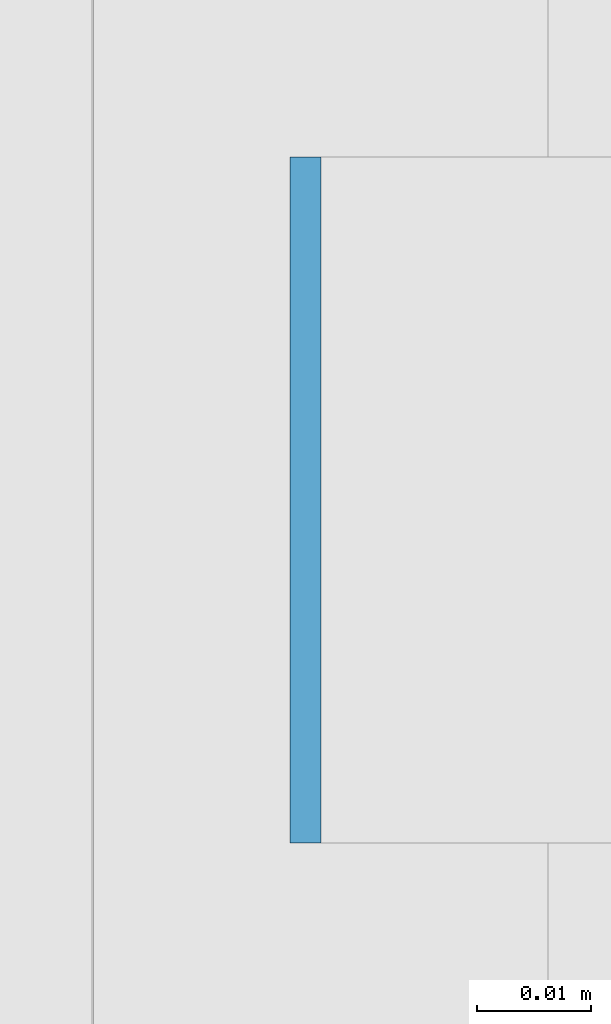
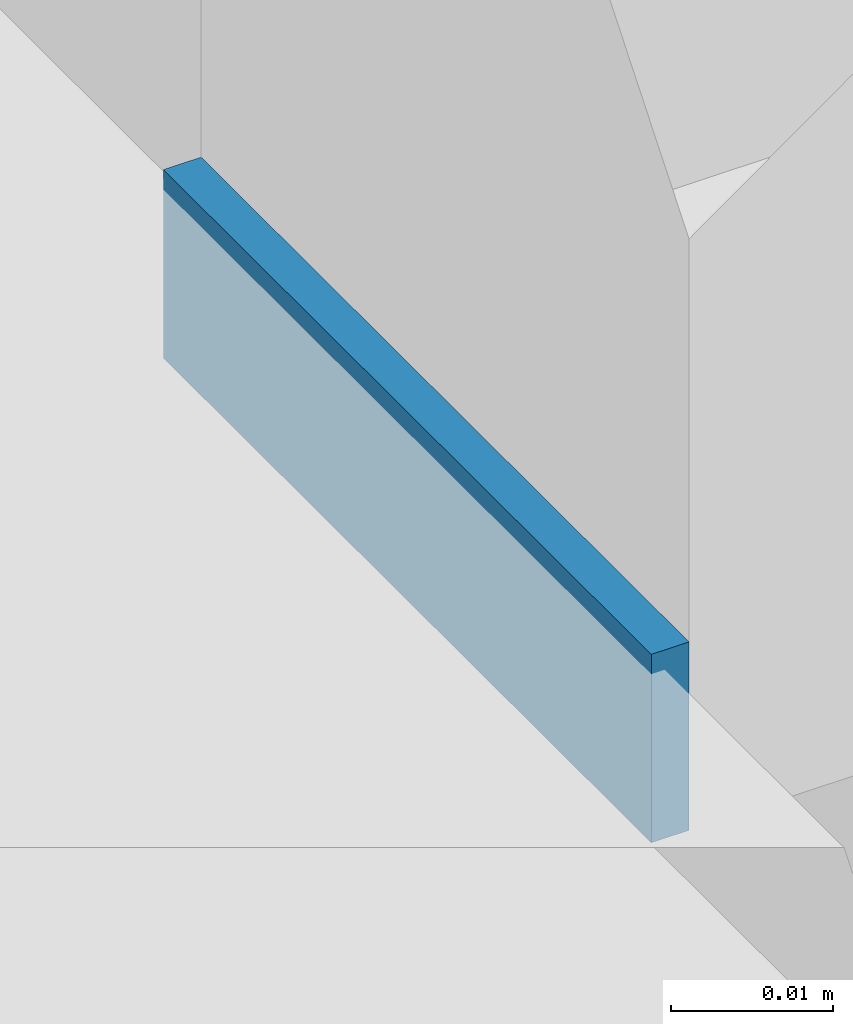
# One storey, part 536 of 646: 1 discrete accessory.
"""IFC4 building model written with IfcOpenShell, lengths in metres."""

from ifc_helpers import new_model, si_unit, direction, frame, origin, origin_2d, place, context, subcontext, project, spatial, rectangle, extrude, material, type_object, element, save


model = new_model("IFC4")

# Units and contexts
model_context = context("Model", 3, precision=1e-05, world=origin(), true_north=direction((0.0, 1.0)))
body_context = subcontext(model_context, "Body", "Model", "MODEL_VIEW")
ifc_project = project(units=[si_unit("LENGTHUNIT", "METRE"), si_unit("AREAUNIT", "SQUARE_METRE"), si_unit("VOLUMEUNIT", "CUBIC_METRE"), si_unit("PLANEANGLEUNIT", "RADIAN"), si_unit("MASSUNIT", "GRAM", prefix="KILO")], contexts=[model_context])

# Site, building, storey
site_placement = place(None, origin())
site = spatial("IfcSite", under=ifc_project, at=site_placement, CompositionType="ELEMENT")
building_placement = place(site_placement, origin())
building = spatial("IfcBuilding", under=site, at=building_placement, Name="Silverbay Arena", CompositionType="ELEMENT")
storey_placement = place(building_placement, frame((0.0, 0.0, 33.5)))
storey = spatial("IfcBuildingStorey", under=building, at=storey_placement, Name="L05", CompositionType="ELEMENT", Elevation=33.5)

# Discrete accessory
ifc_material = material(Name="Steel S355", Category="steel")
discrete_accessory_type = type_object("IfcDiscreteAccessoryType", Name="Steel bracket plate", PredefinedType="BRACKET", material=ifc_material)
discrete_accessory_placement = place(storey_placement, frame((207.128662109375, 87.428466796875, 4.0), z_axis=(0.0, 0.0, 1.0), x_axis=(1.0, 0.0, 0.0)))
element("IfcDiscreteAccessory", 1, at=discrete_accessory_placement, inside=storey, type_object=discrete_accessory_type, Name="Curtain wall packing plate", PredefinedType="BRACKET", context=body_context, shape_type="SweptSolid", body=[
    extrude(rectangle(XDim=0.002685546875, YDim=0.06005859375, at=origin_2d()), origin(), (0.0, 0.0, 1.0), 0.01416015625),
])

save(model, "model.ifc")
